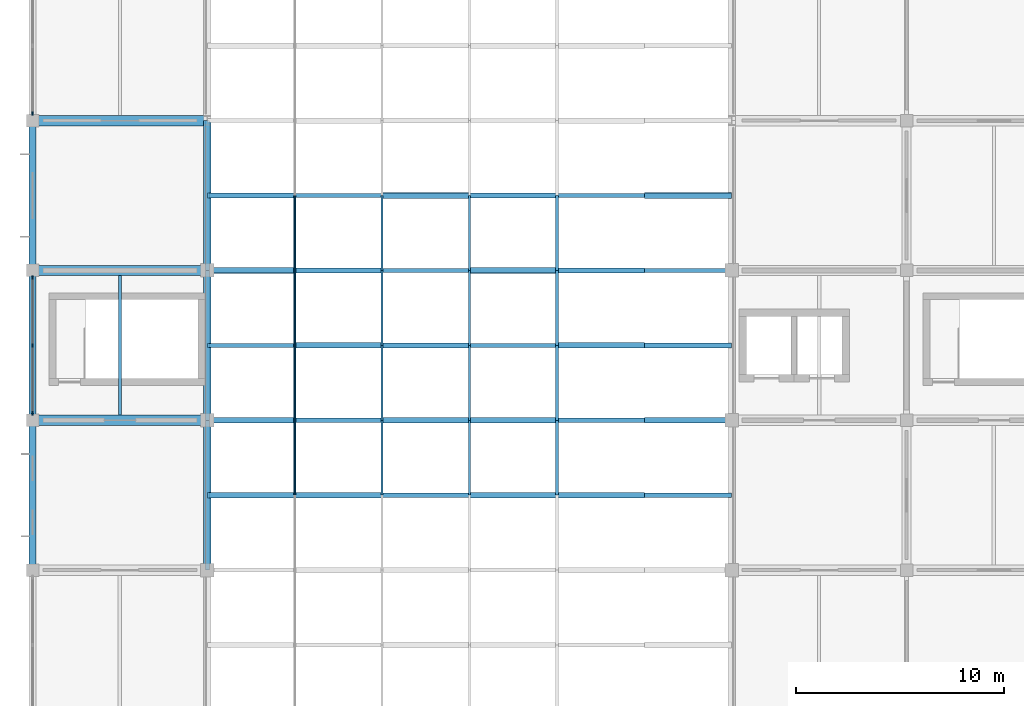
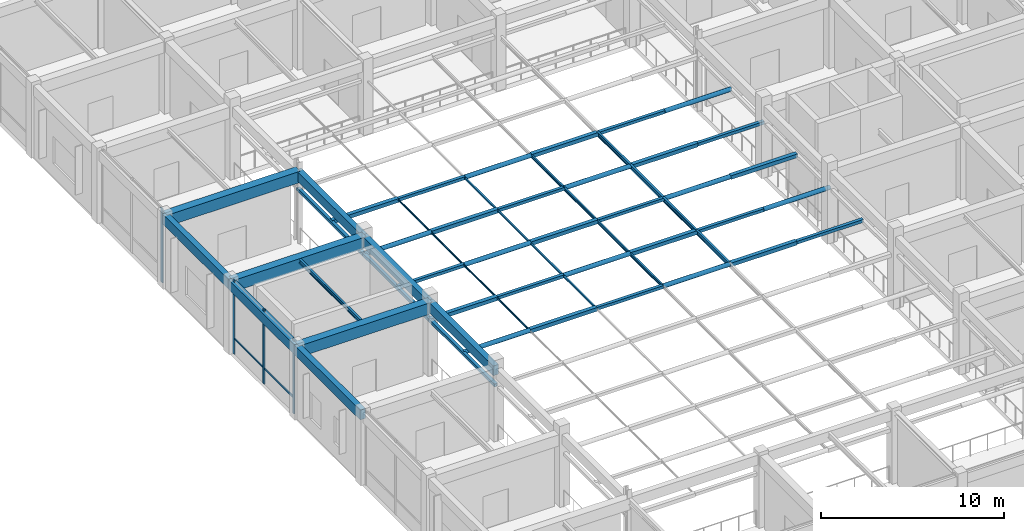
# One storey, part 9 of 38: 55 members, 10 beams, 2 elements without a shape of their own.
"""IFC4 building model written with IfcOpenShell, lengths in metres."""

from ifc_helpers import new_model, si_unit, derived_unit, direction, frame, origin, origin_2d, place, context, subcontext, project, spatial, rectangle, hollow_rectangle, hollow_circle, i_section, extrude, material, material_profile, profile_set, type_object, element, aggregate, save


model = new_model("IFC4")

# Units and contexts
model_context = context("Model", 3, precision=1e-05, world=origin(), true_north=direction((0.0, 1.0)))
body_context = subcontext(model_context, "Body", "Model", "MODEL_VIEW")
ifc_project = project(units=[si_unit("LENGTHUNIT", "METRE"), si_unit("AREAUNIT", "SQUARE_METRE"), si_unit("VOLUMEUNIT", "CUBIC_METRE"), si_unit("PLANEANGLEUNIT", "RADIAN"), si_unit("MASSUNIT", "GRAM", prefix="KILO"), derived_unit("THERMALTRANSMITTANCEUNIT", [(si_unit("MASSUNIT", "GRAM", prefix="KILO"), 1), (si_unit("TIMEUNIT", "SECOND"), -3), (si_unit("THERMODYNAMICTEMPERATUREUNIT", "KELVIN"), -1)])], contexts=[model_context])

# Site, building, storey
site_placement = place(None, origin())
site = spatial("IfcSite", under=ifc_project, at=site_placement, CompositionType="ELEMENT")
building_placement = place(site_placement, origin())
building = spatial("IfcBuilding", under=site, at=building_placement, Name="Veldstrom Oceanarium and Marine Research Institute", CompositionType="ELEMENT")
storey_placement = place(building_placement, frame((0.0, 0.0, 16.800048828125)))
storey = spatial("IfcBuildingStorey", under=building, at=storey_placement, Name="L03", CompositionType="ELEMENT", Elevation=16.800048828125)

# Curtain wall, members
ifc_material_1 = material(Name="Anodised Aluminium Framing", Category="aluminium")
curtain_wall_type = type_object("IfcCurtainWallType", Name="ARC-CW-CW06", PredefinedType="USERDEFINED", material=ifc_material_1)
curtain_wall_1_placement = place(storey_placement, origin())
curtain_wall_1 = element("IfcCurtainWall", 1, at=curtain_wall_1_placement, inside=storey, type_object=curtain_wall_type, Name="Curtain Wall CW06 CW-L03-046", ObjectType="Curtain wall", PredefinedType="USERDEFINED")
ifc_material_2 = material(Name="Anodised Aluminium Framing", Category="aluminium")
ifc_material_profile_1 = material_profile(ifc_material_2, rectangle(XDim=0.074951171875, YDim=0.179931640625, at=origin_2d()), Name="ALU-MUL-75x180")
ifc_profile_set_1 = profile_set([ifc_material_profile_1], Name="Anodised Aluminium Framing")
member_type_1 = type_object("IfcMemberType", Name="ARC-MUL-ML1", PredefinedType="MULLION", material=ifc_profile_set_1)
member_1_placement = place(storey_placement, frame((8.39990234375, 36.340087890625, 0.0), z_axis=(0.0, 0.0, 1.0), x_axis=(1.0, 0.0, 0.0)))
member_1 = element("IfcMember", 2, at=member_1_placement, type_object=member_type_1, Name="Curtain Wall Mullion CW-L03-046-MUL-1", PredefinedType="MULLION", context=body_context, shape_type="SweptSolid", body=[
    extrude(rectangle(XDim=0.074951171875, YDim=0.179931640625, at=origin_2d()), origin(), (0.0, 0.0, 1.0), 4.949951171875),
])
member_2_placement = place(storey_placement, frame((8.39990234375, 39.60009765625, 0.0), z_axis=(0.0, 0.0, 1.0), x_axis=(1.0, 0.0, 0.0)))
member_2 = element("IfcMember", 3, at=member_2_placement, type_object=member_type_1, Name="Curtain Wall Mullion CW-L03-046-MUL-2", PredefinedType="MULLION", context=body_context, shape_type="SweptSolid", body=[
    extrude(rectangle(XDim=0.074951171875, YDim=0.179931640625, at=origin_2d()), origin(), (0.0, 0.0, 1.0), 4.949951171875),
])
member_3_placement = place(storey_placement, frame((8.39990234375, 42.860107421875, 0.0), z_axis=(0.0, 0.0, 1.0), x_axis=(1.0, 0.0, 0.0)))
member_3 = element("IfcMember", 4, at=member_3_placement, type_object=member_type_1, Name="Curtain Wall Mullion CW-L03-046-MUL-3", PredefinedType="MULLION", context=body_context, shape_type="SweptSolid", body=[
    extrude(rectangle(XDim=0.074951171875, YDim=0.179931640625, at=origin_2d()), origin(), (0.0, 0.0, 1.0), 4.949951171875),
])

# Curtain wall, member
curtain_wall_2_placement = place(storey_placement, origin())
curtain_wall_2 = element("IfcCurtainWall", 5, at=curtain_wall_2_placement, inside=storey, type_object=curtain_wall_type, Name="Curtain Wall CW06 CW-L03-047", ObjectType="Curtain wall", PredefinedType="USERDEFINED")
member_4_placement = place(storey_placement, frame((8.39990234375, 50.739990234375, 0.0), z_axis=(0.0, 0.0, 1.0), x_axis=(1.0, 0.0, 0.0)))
member_4 = element("IfcMember", 6, at=member_4_placement, type_object=member_type_1, Name="Curtain Wall Mullion CW-L03-047-MUL-1", PredefinedType="MULLION", context=body_context, shape_type="SweptSolid", body=[
    extrude(rectangle(XDim=0.074951171875, YDim=0.179931640625, at=origin_2d()), origin(), (0.0, 0.0, 1.0), 4.949951171875),
])
aggregate(curtain_wall_2, [member_4])

# Member
ifc_material_3 = material(Name="Anodised Aluminium Framing", Category="aluminium")
ifc_material_profile_2 = material_profile(ifc_material_3, rectangle(XDim=0.06494140625, YDim=0.1201171875, at=origin_2d()), Name="ALU-TRN-65x120")
ifc_profile_set_2 = profile_set([ifc_material_profile_2], Name="Anodised Aluminium Framing")
member_type_2 = type_object("IfcMemberType", Name="ARC-TRN-TR2", PredefinedType="USERDEFINED", material=ifc_profile_set_2)
member_5_placement = place(storey_placement, frame((8.39990234375, 36.3798828125, 1.050048828125), z_axis=(0.0, 1.0, 0.0), x_axis=(-1.0, 0.0, 0.0)))
member_5 = element("IfcMember", 7, at=member_5_placement, type_object=member_type_2, Name="Curtain Wall Transom CW-L03-046-TRN-1", ObjectType="Transom", PredefinedType="USERDEFINED", context=body_context, shape_type="SweptSolid", body=[
    extrude(rectangle(XDim=0.06494140625, YDim=0.1201171875, at=origin_2d()), origin(), (0.0, 0.0, 1.0), 3.18017578125),
])

member_6_placement = place(storey_placement, frame((8.39990234375, 39.639892578125, 1.050048828125), z_axis=(0.0, 1.0, 0.0), x_axis=(-1.0, 0.0, 0.0)))
member_6 = element("IfcMember", 8, at=member_6_placement, type_object=member_type_2, Name="Curtain Wall Transom CW-L03-046-TRN-2", ObjectType="Transom", PredefinedType="USERDEFINED", context=body_context, shape_type="SweptSolid", body=[
    extrude(rectangle(XDim=0.06494140625, YDim=0.1201171875, at=origin_2d()), origin(), (0.0, 0.0, 1.0), 3.18017578125),
])

aggregate(curtain_wall_1, [member_1, member_2, member_3, member_5, member_6])

# Beams
ifc_material_4 = material(Name="Concrete C40/50", Category="concrete")
ifc_material_profile_3 = material_profile(ifc_material_4, rectangle(XDim=0.5, YDim=0.75, at=origin_2d()), Name="RC-BM-500x750")
ifc_profile_set_3 = profile_set([ifc_material_profile_3], Name="Concrete C40/50")
beam_type_1 = type_object("IfcBeamType", Name="STR-BM-B03", PredefinedType="BEAM", material=ifc_profile_set_3)
for number, where, z_axis, x_axis, name in (
    (9, (8.39990234375, 36.0, 4.445068359375), (1.0, 0.0, 0.0), (0.0, 1.0, 0.0), "Primary Beam B03 L03-1843"),
    (10, (8.39990234375, 43.199951171875, 4.445068359375), (1.0, 0.0, 0.0), (0.0, 1.0, 0.0), "Primary Beam B03 L03-1844"),
    (11, (8.39990234375, 50.39990234375, 4.445068359375), (1.0, 0.0, 0.0), (0.0, 1.0, 0.0), "Primary Beam B03 L03-1845"),
):
    element("IfcBeam", number, at=place(storey_placement, frame(where, z_axis=z_axis, x_axis=x_axis)), inside=storey, type_object=beam_type_1, Name=name, PredefinedType="BEAM", context=body_context, shape_type="SweptSolid", body=[
        extrude(rectangle(XDim=0.5, YDim=0.75, at=origin_2d()), origin(), (0.0, 0.0, 1.0), 8.400146484375),
    ])
ifc_material_5 = material(Name="Steel S355JR", Category="steel")
ifc_material_profile_4 = material_profile(ifc_material_5, i_section(OverallWidth=0.135009765625, OverallDepth=0.27001953125, WebThickness=0.006591796875, FlangeThickness=0.01025390625, FilletRadius=0.014892578125, at=origin_2d()), Name="IPE 270")
ifc_profile_set_4 = profile_set([ifc_material_profile_4], Name="Steel S355JR")
beam_type_2 = type_object("IfcBeamType", Name="STR-JST-SJ3", PredefinedType="JOIST", material=ifc_profile_set_4)
beam_placement = place(storey_placement, frame((12.60009765625, 36.25, 4.68505859375), z_axis=(0.0, 1.0, 0.0), x_axis=(-1.0, 0.0, 0.0)))
element("IfcBeam", 12, at=beam_placement, inside=storey, type_object=beam_type_2, Name="Secondary Joist SJ3 L03-2055", PredefinedType="JOIST", context=body_context, shape_type="SweptSolid", body=[
    extrude(i_section(OverallWidth=0.135009765625, OverallDepth=0.27001953125, WebThickness=0.006591796875, FlangeThickness=0.01025390625, FilletRadius=0.014892578125, at=origin_2d()), origin(), (0.0, 0.0, 1.0), 6.699951171875),
])

# Members
ifc_material_6 = material(Name="Steel S355JR", Category="steel")
ifc_material_profile_5 = material_profile(ifc_material_6, hollow_rectangle(XDim=0.25, YDim=0.25, WallThickness=0.012451171875, at=origin_2d()), Name="SHS 250x250x12.5")
ifc_profile_set_5 = profile_set([ifc_material_profile_5], Name="Steel S355JR")
member_type_3 = type_object("IfcMemberType", Name="STR-MEM-CH1", PredefinedType="CHORD", material=ifc_profile_set_5)
for number, where, z_axis, x_axis, name in (
    (13, (21.0, 32.39990234375, 3.5), (1.0, 0.0, 0.0), (0.0, 1.0, 0.0), "Truss Bottom Chord RT06-2"),
    (14, (33.60009765625, 32.39990234375, 3.5), (1.0, 0.0, 0.0), (0.0, 1.0, 0.0), "Truss Bottom Chord RT06-5"),
    (15, (16.800048828125, 36.0, 3.5), (1.0, 0.0, 0.0), (0.0, 1.0, 0.0), "Truss Bottom Chord RT07-1"),
):
    element("IfcMember", number, at=place(storey_placement, frame(where, z_axis=z_axis, x_axis=x_axis)), inside=storey, type_object=member_type_3, Name=name, PredefinedType="CHORD", context=body_context, shape_type="SweptSolid", body=[
        extrude(hollow_rectangle(XDim=0.25, YDim=0.25, WallThickness=0.012451171875, at=origin_2d()), origin(), (0.0, 0.0, 1.0), 4.199951171875),
    ])
member_7_placement = place(storey_placement, frame((29.39990234375, 36.0, 3.5), z_axis=(1.0, 0.0, 0.0), x_axis=(0.0, 1.0, 0.0)))
element("IfcMember", 16, at=member_7_placement, inside=storey, type_object=member_type_3, Name="Truss Bottom Chord RT07-4", PredefinedType="CHORD", context=body_context, shape_type="SweptSolid", body=[
    extrude(hollow_rectangle(XDim=0.25, YDim=0.25, WallThickness=0.012451171875, at=origin_2d()), origin(), (0.0, 0.0, 1.0), 4.2001953125),
])
for number, where, z_axis, x_axis, name in (
    (17, (25.199951171875, 39.60009765625, 3.5), (1.0, 0.0, 0.0), (0.0, 1.0, 0.0), "Truss Bottom Chord RT08-3"),
    (18, (37.800048828125, 39.60009765625, 3.5), (1.0, 0.0, 0.0), (0.0, 1.0, 0.0), "Truss Bottom Chord RT08-6"),
    (19, (21.0, 43.199951171875, 3.5), (1.0, 0.0, 0.0), (0.0, 1.0, 0.0), "Truss Bottom Chord RT09-2"),
    (20, (33.60009765625, 43.199951171875, 3.5), (1.0, 0.0, 0.0), (0.0, 1.0, 0.0), "Truss Bottom Chord RT09-5"),
    (21, (16.800048828125, 46.800048828125, 3.5), (1.0, 0.0, 0.0), (0.0, 1.0, 0.0), "Truss Bottom Chord RT10-1"),
):
    element("IfcMember", number, at=place(storey_placement, frame(where, z_axis=z_axis, x_axis=x_axis)), inside=storey, type_object=member_type_3, Name=name, PredefinedType="CHORD", context=body_context, shape_type="SweptSolid", body=[
        extrude(hollow_rectangle(XDim=0.25, YDim=0.25, WallThickness=0.012451171875, at=origin_2d()), origin(), (0.0, 0.0, 1.0), 4.199951171875),
    ])
member_8_placement = place(storey_placement, frame((29.39990234375, 46.800048828125, 3.5), z_axis=(1.0, 0.0, 0.0), x_axis=(0.0, 1.0, 0.0)))
element("IfcMember", 22, at=member_8_placement, inside=storey, type_object=member_type_3, Name="Truss Bottom Chord RT10-4", PredefinedType="CHORD", context=body_context, shape_type="SweptSolid", body=[
    extrude(hollow_rectangle(XDim=0.25, YDim=0.25, WallThickness=0.012451171875, at=origin_2d()), origin(), (0.0, 0.0, 1.0), 4.2001953125),
])
ifc_material_7 = material(Name="Steel S355JR", Category="steel")
ifc_material_profile_6 = material_profile(ifc_material_7, hollow_rectangle(XDim=0.199951171875, YDim=0.199951171875, WallThickness=0.012451171875, at=origin_2d()), Name="SHS 200x200x12.5")
ifc_profile_set_6 = profile_set([ifc_material_profile_6], Name="Steel S355JR")
member_type_4 = type_object("IfcMemberType", Name="STR-MEM-CH2", PredefinedType="CHORD", material=ifc_profile_set_6)
for number, where, z_axis, x_axis, name in (
    (23, (25.199951171875, 32.39990234375, 3.5), (1.0, 0.0, 0.0), (0.0, 1.0, 0.0), "Truss Bottom Chord RT06-3"),
    (24, (37.800048828125, 32.39990234375, 3.5), (1.0, 0.0, 0.0), (0.0, 1.0, 0.0), "Truss Bottom Chord RT06-6"),
    (25, (21.0, 36.0, 3.5), (1.0, 0.0, 0.0), (0.0, 1.0, 0.0), "Truss Bottom Chord RT07-2"),
    (26, (33.60009765625, 36.0, 3.5), (1.0, 0.0, 0.0), (0.0, 1.0, 0.0), "Truss Bottom Chord RT07-5"),
    (27, (16.800048828125, 39.60009765625, 3.5), (1.0, 0.0, 0.0), (0.0, 1.0, 0.0), "Truss Bottom Chord RT08-1"),
):
    element("IfcMember", number, at=place(storey_placement, frame(where, z_axis=z_axis, x_axis=x_axis)), inside=storey, type_object=member_type_4, Name=name, PredefinedType="CHORD", context=body_context, shape_type="SweptSolid", body=[
        extrude(hollow_rectangle(XDim=0.199951171875, YDim=0.199951171875, WallThickness=0.012451171875, at=origin_2d()), origin(), (0.0, 0.0, 1.0), 4.199951171875),
    ])
member_9_placement = place(storey_placement, frame((29.39990234375, 39.60009765625, 3.5), z_axis=(1.0, 0.0, 0.0), x_axis=(0.0, 1.0, 0.0)))
element("IfcMember", 28, at=member_9_placement, inside=storey, type_object=member_type_4, Name="Truss Bottom Chord RT08-4", PredefinedType="CHORD", context=body_context, shape_type="SweptSolid", body=[
    extrude(hollow_rectangle(XDim=0.199951171875, YDim=0.199951171875, WallThickness=0.012451171875, at=origin_2d()), origin(), (0.0, 0.0, 1.0), 4.2001953125),
])
for number, where, z_axis, x_axis, name in (
    (29, (25.199951171875, 43.199951171875, 3.5), (1.0, 0.0, 0.0), (0.0, 1.0, 0.0), "Truss Bottom Chord RT09-3"),
    (30, (37.800048828125, 43.199951171875, 3.5), (1.0, 0.0, 0.0), (0.0, 1.0, 0.0), "Truss Bottom Chord RT09-6"),
    (31, (21.0, 46.800048828125, 3.5), (1.0, 0.0, 0.0), (0.0, 1.0, 0.0), "Truss Bottom Chord RT10-2"),
    (32, (33.60009765625, 46.800048828125, 3.5), (1.0, 0.0, 0.0), (0.0, 1.0, 0.0), "Truss Bottom Chord RT10-5"),
):
    element("IfcMember", number, at=place(storey_placement, frame(where, z_axis=z_axis, x_axis=x_axis)), inside=storey, type_object=member_type_4, Name=name, PredefinedType="CHORD", context=body_context, shape_type="SweptSolid", body=[
        extrude(hollow_rectangle(XDim=0.199951171875, YDim=0.199951171875, WallThickness=0.012451171875, at=origin_2d()), origin(), (0.0, 0.0, 1.0), 4.199951171875),
    ])
for number, where, z_axis, x_axis, name in (
    (33, (16.800048828125, 28.800048828125, 3.5), (0.0, 1.0, 0.0), (-1.0, 0.0, 0.0), "Hall Truss Bottom Longitudinal Tie 3/E"),
    (34, (16.800048828125, 36.0, 3.5), (0.0, 1.0, 0.0), (-1.0, 0.0, 0.0), "Hall Truss Bottom Longitudinal Tie 3/F"),
    (35, (16.800048828125, 43.199951171875, 3.5), (0.0, 1.0, 0.0), (-1.0, 0.0, 0.0), "Hall Truss Bottom Longitudinal Tie 3/G"),
):
    element("IfcMember", number, at=place(storey_placement, frame(where, z_axis=z_axis, x_axis=x_axis)), inside=storey, type_object=member_type_4, Name=name, PredefinedType="CHORD", context=body_context, shape_type="SweptSolid", body=[
        extrude(hollow_rectangle(XDim=0.199951171875, YDim=0.199951171875, WallThickness=0.012451171875, at=origin_2d()), origin(), (0.0, 0.0, 1.0), 7.199951171875),
    ])
ifc_material_8 = material(Name="Steel S355JR", Category="steel")
ifc_material_profile_7 = material_profile(ifc_material_8, hollow_circle(Radius=0.136474609375, WallThickness=0.012451171875, at=origin_2d()), Name="CHS 273x12.5")
ifc_profile_set_7 = profile_set([ifc_material_profile_7], Name="Steel S355JR")
member_type_5 = type_object("IfcMemberType", Name="STR-MEM-CH3", PredefinedType="CHORD", material=ifc_profile_set_7)
member_10_placement = place(storey_placement, frame((16.800048828125, 32.39990234375, 3.5), z_axis=(1.0, 0.0, 0.0), x_axis=(0.0, 1.0, 0.0)))
element("IfcMember", 36, at=member_10_placement, inside=storey, type_object=member_type_5, Name="Truss Bottom Chord RT06-1", PredefinedType="CHORD", context=body_context, shape_type="SweptSolid", body=[
    extrude(hollow_circle(Radius=0.136474609375, WallThickness=0.012451171875, at=origin_2d()), origin(), (0.0, 0.0, 1.0), 4.199951171875),
])
member_11_placement = place(storey_placement, frame((29.39990234375, 32.39990234375, 3.5), z_axis=(1.0, 0.0, 0.0), x_axis=(0.0, 1.0, 0.0)))
element("IfcMember", 37, at=member_11_placement, inside=storey, type_object=member_type_5, Name="Truss Bottom Chord RT06-4", PredefinedType="CHORD", context=body_context, shape_type="SweptSolid", body=[
    extrude(hollow_circle(Radius=0.136474609375, WallThickness=0.012451171875, at=origin_2d()), origin(), (0.0, 0.0, 1.0), 4.2001953125),
])
for number, where, z_axis, x_axis, name in (
    (38, (25.199951171875, 36.0, 3.5), (1.0, 0.0, 0.0), (0.0, 1.0, 0.0), "Truss Bottom Chord RT07-3"),
    (39, (37.800048828125, 36.0, 3.5), (1.0, 0.0, 0.0), (0.0, 1.0, 0.0), "Truss Bottom Chord RT07-6"),
    (40, (21.0, 39.60009765625, 3.5), (1.0, 0.0, 0.0), (0.0, 1.0, 0.0), "Truss Bottom Chord RT08-2"),
    (41, (33.60009765625, 39.60009765625, 3.5), (1.0, 0.0, 0.0), (0.0, 1.0, 0.0), "Truss Bottom Chord RT08-5"),
    (42, (16.800048828125, 43.199951171875, 3.5), (1.0, 0.0, 0.0), (0.0, 1.0, 0.0), "Truss Bottom Chord RT09-1"),
):
    element("IfcMember", number, at=place(storey_placement, frame(where, z_axis=z_axis, x_axis=x_axis)), inside=storey, type_object=member_type_5, Name=name, PredefinedType="CHORD", context=body_context, shape_type="SweptSolid", body=[
        extrude(hollow_circle(Radius=0.136474609375, WallThickness=0.012451171875, at=origin_2d()), origin(), (0.0, 0.0, 1.0), 4.199951171875),
    ])
member_12_placement = place(storey_placement, frame((29.39990234375, 43.199951171875, 3.5), z_axis=(1.0, 0.0, 0.0), x_axis=(0.0, 1.0, 0.0)))
element("IfcMember", 43, at=member_12_placement, inside=storey, type_object=member_type_5, Name="Truss Bottom Chord RT09-4", PredefinedType="CHORD", context=body_context, shape_type="SweptSolid", body=[
    extrude(hollow_circle(Radius=0.136474609375, WallThickness=0.012451171875, at=origin_2d()), origin(), (0.0, 0.0, 1.0), 4.2001953125),
])
for number, where, z_axis, x_axis, name in (
    (44, (25.199951171875, 46.800048828125, 3.5), (1.0, 0.0, 0.0), (0.0, 1.0, 0.0), "Truss Bottom Chord RT10-3"),
    (45, (37.800048828125, 46.800048828125, 3.5), (1.0, 0.0, 0.0), (0.0, 1.0, 0.0), "Truss Bottom Chord RT10-6"),
):
    element("IfcMember", number, at=place(storey_placement, frame(where, z_axis=z_axis, x_axis=x_axis)), inside=storey, type_object=member_type_5, Name=name, PredefinedType="CHORD", context=body_context, shape_type="SweptSolid", body=[
        extrude(hollow_circle(Radius=0.136474609375, WallThickness=0.012451171875, at=origin_2d()), origin(), (0.0, 0.0, 1.0), 4.199951171875),
    ])
ifc_material_9 = material(Name="Steel S355JR", Category="steel")
ifc_material_profile_8 = material_profile(ifc_material_9, i_section(OverallWidth=0.10009765625, OverallDepth=0.199951171875, WebThickness=0.005615234375, FlangeThickness=0.008544921875, FilletRadius=0.011962890625, at=origin_2d()), Name="IPE 200")
ifc_profile_set_8 = profile_set([ifc_material_profile_8], Name="Steel S355JR")
member_type_6 = type_object("IfcMemberType", Name="STR-MEM-PR2", PredefinedType="PURLIN", material=ifc_profile_set_8)
for number, where, z_axis, x_axis, name in (
    (46, (29.39990234375, 32.39990234375, 3.5), (0.0, 1.0, 0.0), (-1.0, 0.0, 0.0), "Hall Truss Longitudinal Strut Tie ST-06-3"),
    (47, (29.39990234375, 36.0, 3.5), (0.0, 1.0, 0.0), (-1.0, 0.0, 0.0), "Hall Truss Longitudinal Strut Tie ST-07-3"),
):
    element("IfcMember", number, at=place(storey_placement, frame(where, z_axis=z_axis, x_axis=x_axis)), inside=storey, type_object=member_type_6, Name=name, PredefinedType="PURLIN", context=body_context, shape_type="SweptSolid", body=[
        extrude(i_section(OverallWidth=0.10009765625, OverallDepth=0.199951171875, WebThickness=0.005615234375, FlangeThickness=0.008544921875, FilletRadius=0.011962890625, at=origin_2d()), origin(), (0.0, 0.0, 1.0), 3.60009765625),
    ])
member_13_placement = place(storey_placement, frame((29.39990234375, 39.60009765625, 3.5), z_axis=(0.0, 1.0, 0.0), x_axis=(-1.0, 0.0, 0.0)))
element("IfcMember", 48, at=member_13_placement, inside=storey, type_object=member_type_6, Name="Hall Truss Longitudinal Strut Tie ST-08-3", PredefinedType="PURLIN", context=body_context, shape_type="SweptSolid", body=[
    extrude(i_section(OverallWidth=0.10009765625, OverallDepth=0.199951171875, WebThickness=0.005615234375, FlangeThickness=0.008544921875, FilletRadius=0.011962890625, at=origin_2d()), origin(), (0.0, 0.0, 1.0), 3.599853515625),
])
member_14_placement = place(storey_placement, frame((29.39990234375, 43.199951171875, 3.5), z_axis=(0.0, 1.0, 0.0), x_axis=(-1.0, 0.0, 0.0)))
element("IfcMember", 49, at=member_14_placement, inside=storey, type_object=member_type_6, Name="Hall Truss Longitudinal Strut Tie ST-09-3", PredefinedType="PURLIN", context=body_context, shape_type="SweptSolid", body=[
    extrude(i_section(OverallWidth=0.10009765625, OverallDepth=0.199951171875, WebThickness=0.005615234375, FlangeThickness=0.008544921875, FilletRadius=0.011962890625, at=origin_2d()), origin(), (0.0, 0.0, 1.0), 3.60009765625),
])
ifc_material_10 = material(Name="Steel S355JR", Category="steel")
ifc_material_profile_9 = material_profile(ifc_material_10, i_section(OverallWidth=0.135009765625, OverallDepth=0.27001953125, WebThickness=0.006591796875, FlangeThickness=0.01025390625, FilletRadius=0.014892578125, at=origin_2d()), Name="IPE 270")
ifc_profile_set_9 = profile_set([ifc_material_profile_9], Name="Steel S355JR")
member_type_7 = type_object("IfcMemberType", Name="STR-MEM-RF2", PredefinedType="RAFTER", material=ifc_profile_set_9)
for number, where, z_axis, x_axis, name in (
    (50, (33.60009765625, 32.39990234375, 3.5), (0.0, 1.0, 0.0), (-1.0, 0.0, 0.0), "Hall Truss Longitudinal Strut Tie ST-06-4"),
    (51, (33.60009765625, 36.0, 3.5), (0.0, 1.0, 0.0), (-1.0, 0.0, 0.0), "Hall Truss Longitudinal Strut Tie ST-07-4"),
):
    element("IfcMember", number, at=place(storey_placement, frame(where, z_axis=z_axis, x_axis=x_axis)), inside=storey, type_object=member_type_7, Name=name, PredefinedType="RAFTER", context=body_context, shape_type="SweptSolid", body=[
        extrude(i_section(OverallWidth=0.135009765625, OverallDepth=0.27001953125, WebThickness=0.006591796875, FlangeThickness=0.01025390625, FilletRadius=0.014892578125, at=origin_2d()), origin(), (0.0, 0.0, 1.0), 3.60009765625),
    ])
member_15_placement = place(storey_placement, frame((33.60009765625, 39.60009765625, 3.5), z_axis=(0.0, 1.0, 0.0), x_axis=(-1.0, 0.0, 0.0)))
element("IfcMember", 52, at=member_15_placement, inside=storey, type_object=member_type_7, Name="Hall Truss Longitudinal Strut Tie ST-08-4", PredefinedType="RAFTER", context=body_context, shape_type="SweptSolid", body=[
    extrude(i_section(OverallWidth=0.135009765625, OverallDepth=0.27001953125, WebThickness=0.006591796875, FlangeThickness=0.01025390625, FilletRadius=0.014892578125, at=origin_2d()), origin(), (0.0, 0.0, 1.0), 3.599853515625),
])
member_16_placement = place(storey_placement, frame((33.60009765625, 43.199951171875, 3.5), z_axis=(0.0, 1.0, 0.0), x_axis=(-1.0, 0.0, 0.0)))
element("IfcMember", 53, at=member_16_placement, inside=storey, type_object=member_type_7, Name="Hall Truss Longitudinal Strut Tie ST-09-4", PredefinedType="RAFTER", context=body_context, shape_type="SweptSolid", body=[
    extrude(i_section(OverallWidth=0.135009765625, OverallDepth=0.27001953125, WebThickness=0.006591796875, FlangeThickness=0.01025390625, FilletRadius=0.014892578125, at=origin_2d()), origin(), (0.0, 0.0, 1.0), 3.60009765625),
])
ifc_material_11 = material(Name="Steel S355JR", Category="steel")
ifc_material_profile_10 = material_profile(ifc_material_11, hollow_circle(Radius=0.05712890625, WallThickness=0.00634765625, at=origin_2d()), Name="CHS 114.3x6.3")
ifc_profile_set_10 = profile_set([ifc_material_profile_10], Name="Steel S355JR")
member_type_8 = type_object("IfcMemberType", Name="STR-MEM-ST1", PredefinedType="STRUT", material=ifc_profile_set_10)
for number, where, z_axis, x_axis, name in (
    (54, (21.0, 32.39990234375, 3.5), (0.0, 1.0, 0.0), (-1.0, 0.0, 0.0), "Hall Truss Longitudinal Strut Tie ST-06-1"),
    (55, (21.0, 36.0, 3.5), (0.0, 1.0, 0.0), (-1.0, 0.0, 0.0), "Hall Truss Longitudinal Strut Tie ST-07-1"),
):
    element("IfcMember", number, at=place(storey_placement, frame(where, z_axis=z_axis, x_axis=x_axis)), inside=storey, type_object=member_type_8, Name=name, PredefinedType="STRUT", context=body_context, shape_type="SweptSolid", body=[
        extrude(hollow_circle(Radius=0.05712890625, WallThickness=0.00634765625, at=origin_2d()), origin(), (0.0, 0.0, 1.0), 3.60009765625),
    ])
member_17_placement = place(storey_placement, frame((21.0, 39.60009765625, 3.5), z_axis=(0.0, 1.0, 0.0), x_axis=(-1.0, 0.0, 0.0)))
element("IfcMember", 56, at=member_17_placement, inside=storey, type_object=member_type_8, Name="Hall Truss Longitudinal Strut Tie ST-08-1", PredefinedType="STRUT", context=body_context, shape_type="SweptSolid", body=[
    extrude(hollow_circle(Radius=0.05712890625, WallThickness=0.00634765625, at=origin_2d()), origin(), (0.0, 0.0, 1.0), 3.599853515625),
])
member_18_placement = place(storey_placement, frame((21.0, 43.199951171875, 3.5), z_axis=(0.0, 1.0, 0.0), x_axis=(-1.0, 0.0, 0.0)))
element("IfcMember", 57, at=member_18_placement, inside=storey, type_object=member_type_8, Name="Hall Truss Longitudinal Strut Tie ST-09-1", PredefinedType="STRUT", context=body_context, shape_type="SweptSolid", body=[
    extrude(hollow_circle(Radius=0.05712890625, WallThickness=0.00634765625, at=origin_2d()), origin(), (0.0, 0.0, 1.0), 3.60009765625),
])
ifc_material_12 = material(Name="Steel S355JR", Category="steel")
ifc_material_profile_11 = material_profile(ifc_material_12, hollow_rectangle(XDim=0.10009765625, YDim=0.10009765625, WallThickness=0.006103515625, at=origin_2d()), Name="SHS 100x100x6")
ifc_profile_set_11 = profile_set([ifc_material_profile_11], Name="Steel S355JR")
member_type_9 = type_object("IfcMemberType", Name="STR-MEM-ST2", PredefinedType="STRUT", material=ifc_profile_set_11)
for number, where, z_axis, x_axis, name in (
    (58, (25.199951171875, 32.39990234375, 3.5), (0.0, 1.0, 0.0), (-1.0, 0.0, 0.0), "Hall Truss Longitudinal Strut Tie ST-06-2"),
    (59, (25.199951171875, 36.0, 3.5), (0.0, 1.0, 0.0), (-1.0, 0.0, 0.0), "Hall Truss Longitudinal Strut Tie ST-07-2"),
):
    element("IfcMember", number, at=place(storey_placement, frame(where, z_axis=z_axis, x_axis=x_axis)), inside=storey, type_object=member_type_9, Name=name, PredefinedType="STRUT", context=body_context, shape_type="SweptSolid", body=[
        extrude(hollow_rectangle(XDim=0.10009765625, YDim=0.10009765625, WallThickness=0.006103515625, at=origin_2d()), origin(), (0.0, 0.0, 1.0), 3.60009765625),
    ])
member_19_placement = place(storey_placement, frame((25.199951171875, 39.60009765625, 3.5), z_axis=(0.0, 1.0, 0.0), x_axis=(-1.0, 0.0, 0.0)))
element("IfcMember", 60, at=member_19_placement, inside=storey, type_object=member_type_9, Name="Hall Truss Longitudinal Strut Tie ST-08-2", PredefinedType="STRUT", context=body_context, shape_type="SweptSolid", body=[
    extrude(hollow_rectangle(XDim=0.10009765625, YDim=0.10009765625, WallThickness=0.006103515625, at=origin_2d()), origin(), (0.0, 0.0, 1.0), 3.599853515625),
])
member_20_placement = place(storey_placement, frame((25.199951171875, 43.199951171875, 3.5), z_axis=(0.0, 1.0, 0.0), x_axis=(-1.0, 0.0, 0.0)))
element("IfcMember", 61, at=member_20_placement, inside=storey, type_object=member_type_9, Name="Hall Truss Longitudinal Strut Tie ST-09-2", PredefinedType="STRUT", context=body_context, shape_type="SweptSolid", body=[
    extrude(hollow_rectangle(XDim=0.10009765625, YDim=0.10009765625, WallThickness=0.006103515625, at=origin_2d()), origin(), (0.0, 0.0, 1.0), 3.60009765625),
])

# Beams
ifc_material_13 = material(Name="Concrete C40/50", Category="concrete")
ifc_material_profile_12 = material_profile(ifc_material_13, rectangle(XDim=0.35009765625, YDim=0.64990234375, at=origin_2d()), Name="RC-SPN-350x650")
ifc_profile_set_12 = profile_set([ifc_material_profile_12], Name="Concrete C40/50")
beam_type_3 = type_object("IfcBeamType", Name="STR-SPN-SP1", PredefinedType="SPANDREL", material=ifc_profile_set_12)
for number, where, z_axis, x_axis, name in (
    (62, (8.39990234375, 28.800048828125, 4.494873046875), (0.0, 1.0, 0.0), (-1.0, 0.0, 0.0), "Perimeter Spandrel SPB1 L03-1951"),
    (63, (8.39990234375, 36.0, 4.494873046875), (0.0, 1.0, 0.0), (-1.0, 0.0, 0.0), "Perimeter Spandrel SPB1 L03-1952"),
    (64, (8.39990234375, 43.199951171875, 4.494873046875), (0.0, 1.0, 0.0), (-1.0, 0.0, 0.0), "Perimeter Spandrel SPB1 L03-1953"),
    (65, (16.800048828125, 28.800048828125, 4.494873046875), (0.0, 1.0, 0.0), (-1.0, 0.0, 0.0), "Perimeter Spandrel SPB1 L03-1960"),
    (66, (16.800048828125, 36.0, 4.494873046875), (0.0, 1.0, 0.0), (-1.0, 0.0, 0.0), "Perimeter Spandrel SPB1 L03-1961"),
    (67, (16.800048828125, 43.199951171875, 4.494873046875), (0.0, 1.0, 0.0), (-1.0, 0.0, 0.0), "Perimeter Spandrel SPB1 L03-1962"),
):
    element("IfcBeam", number, at=place(storey_placement, frame(where, z_axis=z_axis, x_axis=x_axis)), inside=storey, type_object=beam_type_3, Name=name, PredefinedType="SPANDREL", context=body_context, shape_type="SweptSolid", body=[
        extrude(rectangle(XDim=0.35009765625, YDim=0.64990234375, at=origin_2d()), origin(), (0.0, 0.0, 1.0), 7.199951171875),
    ])

save(model, "model.ifc")
